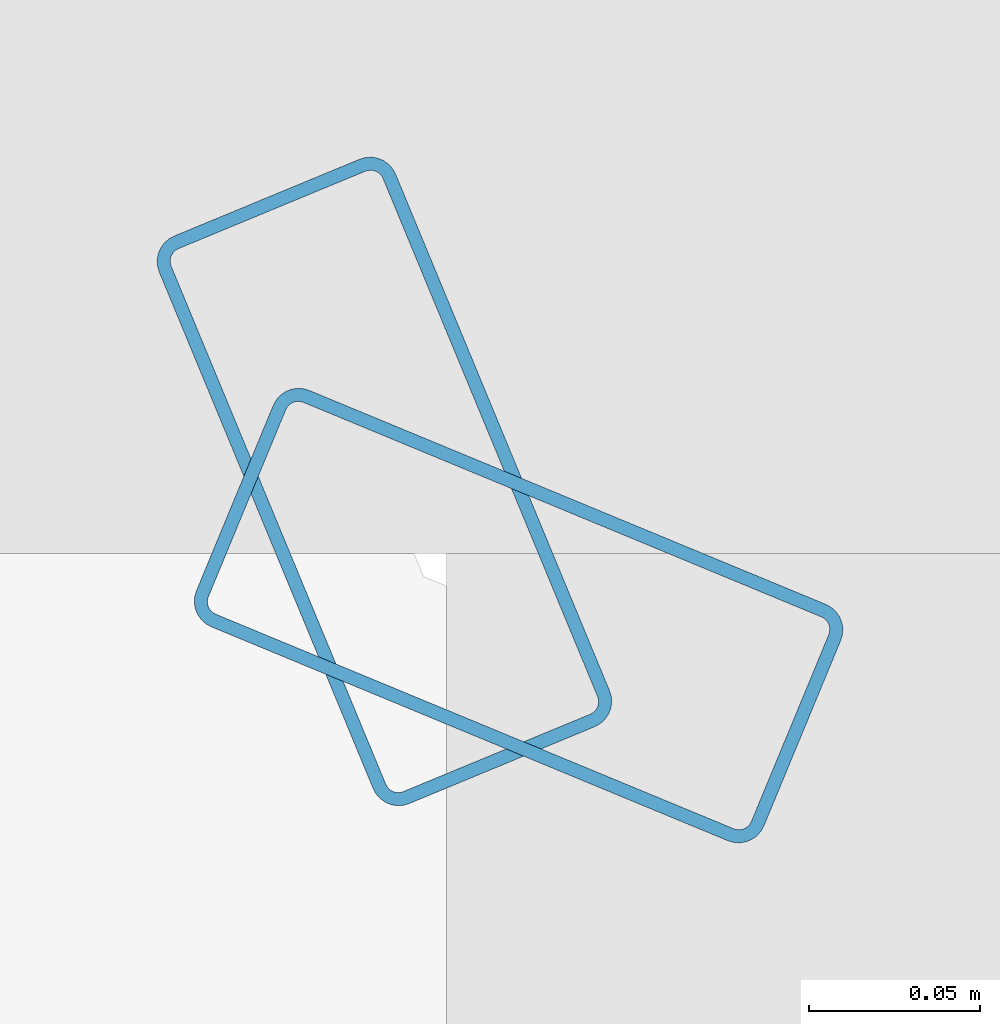
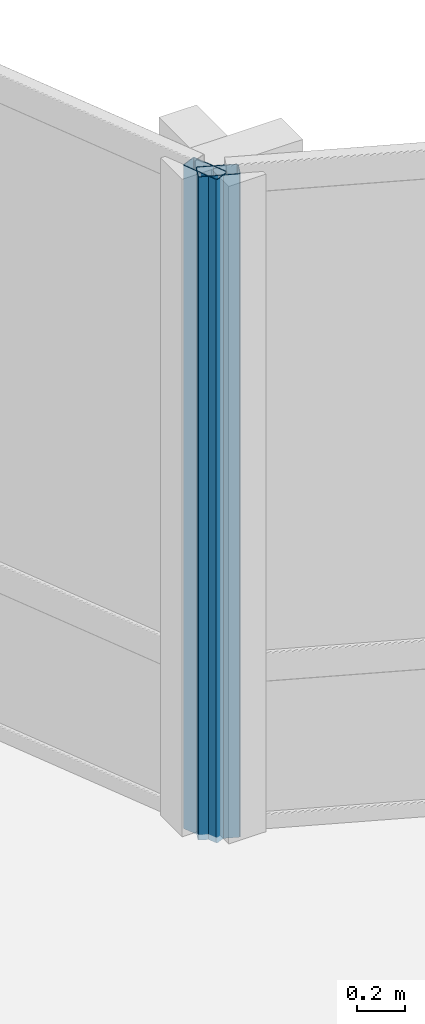
# One storey, part 8 of 27: 2 members, 2 elements without a shape of their own.
"""IFC4 building model written with IfcOpenShell, lengths in metres."""

from ifc_helpers import new_model, si_unit, direction, frame, origin, origin_2d, place, context, subcontext, project, spatial, hollow_rectangle, extrude, material, layer, layer_set, material_profile, profile_set, type_object, element, aggregate, save


model = new_model("IFC4")

# Units and contexts
model_context = context("Model", 3, precision=1e-05, world=origin(), true_north=direction((0.0, 1.0)))
body_context = subcontext(model_context, "Body", "Model", "MODEL_VIEW")
ifc_project = project(units=[si_unit("LENGTHUNIT", "METRE"), si_unit("AREAUNIT", "SQUARE_METRE"), si_unit("VOLUMEUNIT", "CUBIC_METRE"), si_unit("PLANEANGLEUNIT", "RADIAN"), si_unit("MASSUNIT", "GRAM", prefix="KILO")], contexts=[model_context])

# Site, building, storey
site_placement = place(None, origin())
site = spatial("IfcSite", under=ifc_project, at=site_placement, CompositionType="ELEMENT")
building_placement = place(site_placement, origin())
building = spatial("IfcBuilding", under=site, at=building_placement, Name="Solvaryn Broadcast Tower", CompositionType="ELEMENT")
storey_placement = place(building_placement, frame((0.0, 0.0, 232.10009765625)))
storey = spatial("IfcBuildingStorey", under=building, at=storey_placement, Name="L58", CompositionType="ELEMENT", Elevation=232.10009765625)

# Curtain wall, member
ifc_material_1 = material(Name="Aluminium and Terracotta Unitised Curtain Wall", Category="masonry")
ifc_layer = layer(ifc_material_1, 0.199951171875)
ifc_layer_set = layer_set([ifc_layer], Name="CW-SYS2-LOWMID")
curtain_wall_type = type_object("IfcCurtainWallType", Name="CW-SYS2-LOWMID", PredefinedType="NOTDEFINED", material=ifc_layer_set)
curtain_wall_1_placement = place(storey_placement, origin())
curtain_wall_1 = element("IfcCurtainWall", 1, at=curtain_wall_1_placement, inside=storey, type_object=curtain_wall_type, Name="L58 Curtain Wall CN1", PredefinedType="NOTDEFINED")
ifc_material_2 = material(Name="Anodised Aluminium 6063-T6", Category="aluminium")
ifc_material_profile = material_profile(ifc_material_2, hollow_rectangle(XDim=0.074951171875, YDim=0.179931640625, WallThickness=0.00390625, InnerFilletRadius=0.00390625, OuterFilletRadius=0.008056640625, at=origin_2d()))
ifc_profile_set = profile_set([ifc_material_profile], Name="Anodised Aluminium 6063-T6")
member_type = type_object("IfcMemberType", Name="CW-MUL-180", PredefinedType="MULLION", material=ifc_profile_set)
member_1_placement = place(storey_placement, frame((30.395751953125, 30.3564453125, 0.0), z_axis=(0.0, 0.0, 1.0), x_axis=(-0.382646127145, -0.923894983957, 0.0)))
member_1 = element("IfcMember", 2, at=member_1_placement, type_object=member_type, Name="CWS2 mullion 2", PredefinedType="MULLION", context=body_context, shape_type="SweptSolid", body=[
    extrude(hollow_rectangle(XDim=0.074951171875, YDim=0.179931640625, WallThickness=0.00390625, InnerFilletRadius=0.00390625, OuterFilletRadius=0.008056640625, at=origin_2d()), origin(), (0.0, 0.0, 1.0), 3.369873046875),
])
aggregate(curtain_wall_1, [member_1])

curtain_wall_2_placement = place(storey_placement, origin())
curtain_wall_2 = element("IfcCurtainWall", 3, at=curtain_wall_2_placement, inside=storey, type_object=curtain_wall_type, Name="L58 Curtain Wall CN2", PredefinedType="NOTDEFINED")
member_2_placement = place(storey_placement, frame((30.3564453125, 30.395751953125, 0.0), z_axis=(0.0, 0.0, 1.0), x_axis=(-0.923894983957, -0.382646127145, 0.0)))
member_2 = element("IfcMember", 4, at=member_2_placement, type_object=member_type, Name="CWS2 mullion 1", PredefinedType="MULLION", context=body_context, shape_type="SweptSolid", body=[
    extrude(hollow_rectangle(XDim=0.074951171875, YDim=0.179931640625, WallThickness=0.00390625, InnerFilletRadius=0.00390625, OuterFilletRadius=0.008056640625, at=origin_2d()), origin(), (0.0, 0.0, 1.0), 3.369873046875),
])
aggregate(curtain_wall_2, [member_2])

save(model, "model.ifc")
